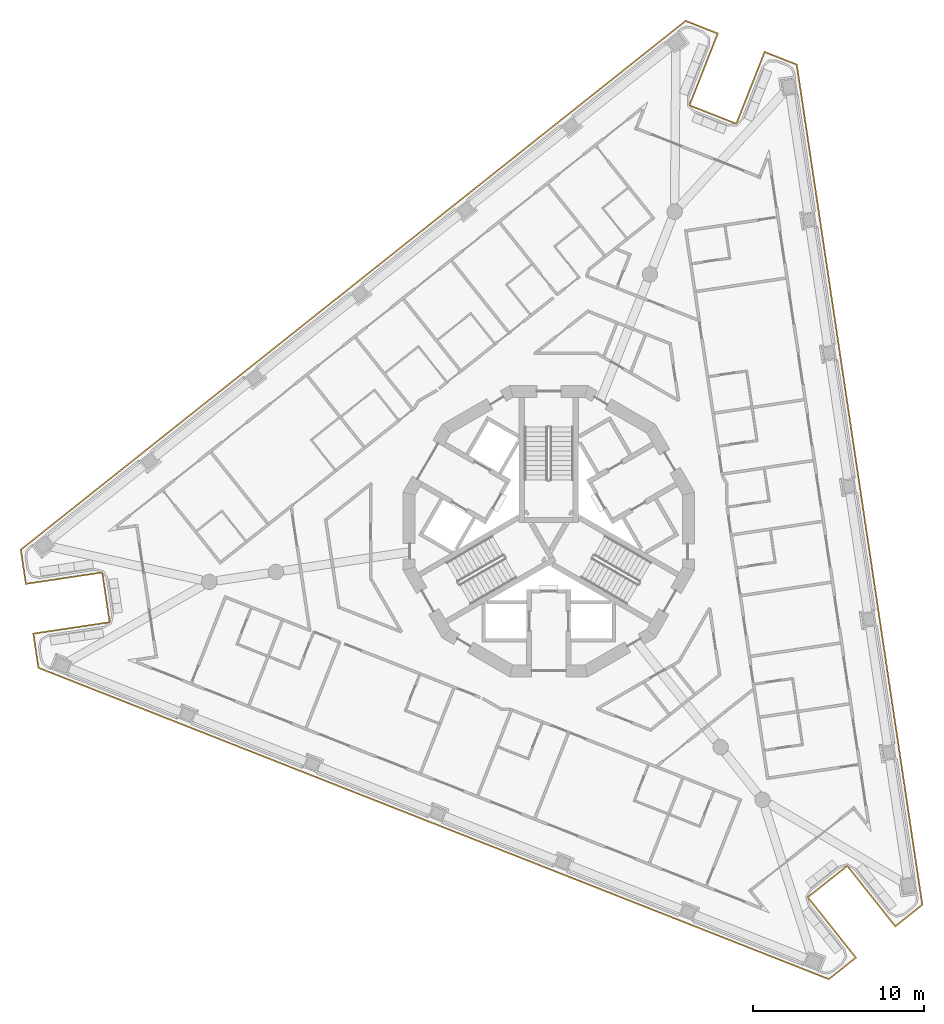
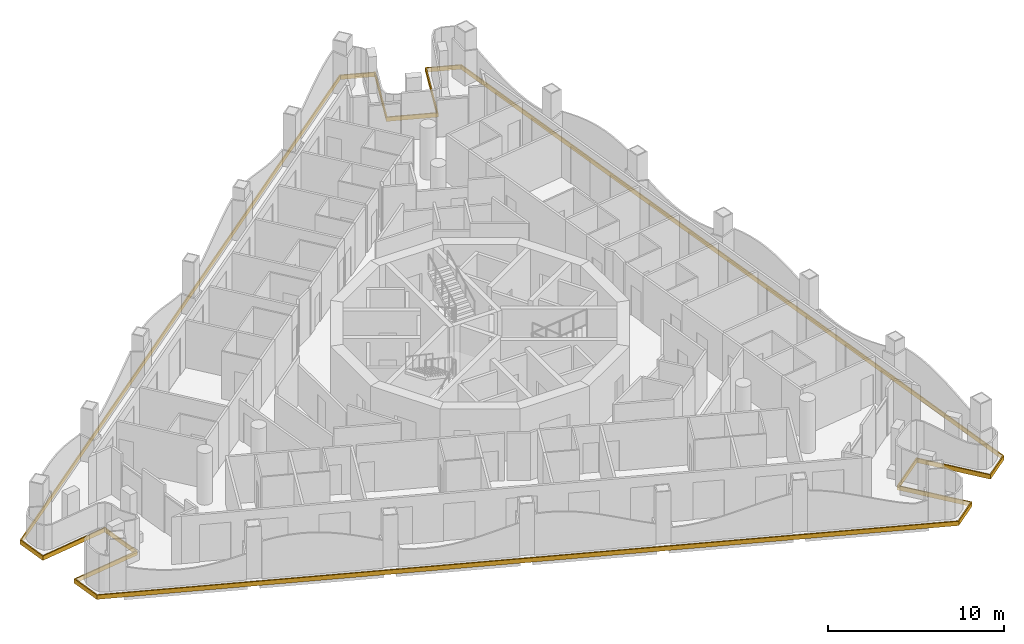
# One storey, part 13 of 17: 1 covering.
"""IFC4 building model written with IfcOpenShell, lengths in metres."""

from ifc_helpers import new_model, si_unit, direction, frame, origin, place, context, subcontext, project, spatial, polyline, outline, extrude, material, layer, layer_set, type_object, element, save


model = new_model("IFC4")

# Units and contexts
model_context = context("Model", 3, precision=1e-05, world=origin(), true_north=direction((0.0, 1.0)))
body_context = subcontext(model_context, "Body", "Model", "MODEL_VIEW")
ifc_project = project(units=[si_unit("LENGTHUNIT", "METRE"), si_unit("AREAUNIT", "SQUARE_METRE"), si_unit("VOLUMEUNIT", "CUBIC_METRE"), si_unit("PLANEANGLEUNIT", "RADIAN"), si_unit("MASSUNIT", "GRAM", prefix="KILO")], contexts=[model_context])

# Site, building, storey
site_placement = place(None, origin())
site = spatial("IfcSite", under=ifc_project, at=site_placement, CompositionType="ELEMENT")
building_placement = place(site_placement, origin())
building = spatial("IfcBuilding", under=site, at=building_placement, Name="Trine Commons Tower", CompositionType="ELEMENT")
storey_placement = place(building_placement, frame((0.0, 0.0, 208.800048828125)))
storey = spatial("IfcBuildingStorey", under=building, at=storey_placement, Name="L54", CompositionType="ELEMENT", Elevation=208.800048828125)

# Covering
ifc_material = material(Name="Limestone, honed", Category="masonry")
ifc_layer = layer(ifc_material, 0.074951171875)
ifc_layer_set = layer_set([ifc_layer], Name="Limestone, honed")
covering_type = type_object("IfcCoveringType", Name="Limestone spandrel panel 75", PredefinedType="CLADDING", material=ifc_layer_set)
covering_placement = place(storey_placement, frame((0.0, 0.0, -0.300048828125)))
element("IfcCovering", 1, at=covering_placement, inside=storey, type_object=covering_type, Name="Limestone spandrel panel 6-01", PredefinedType="CLADDING", context=body_context, shape_type="SweptSolid", body=[
    extrude(outline(polyline([(97.397705078125, 42.917236328125), (100.198974609375, 39.3955078125), (101.82861328125, 40.69189453125), (94.498779296875, 89.7373046875), (92.561279296875, 90.50048828125), (90.912109375, 86.313720703125), (88.26025390625, 87.358154296875), (89.90966796875, 91.545166015625), (87.97216796875, 92.308349609375), (49.162353515625, 61.4375), (49.47021484375, 59.378173828125), (53.9208984375, 60.043212890625), (54.342041015625, 57.224609375), (49.891357421875, 56.559326171875), (50.19921875, 54.5), (96.3388671875, 36.324951171875), (97.968505859375, 37.621337890625), (95.167236328125, 41.14306640625), (97.397705078125, 42.917236328125)]), holes=[polyline([(92.603515625, 90.4033203125), (94.430908203125, 89.683349609375), (101.748046875, 40.7236328125), (100.2109375, 39.5009765625), (97.40966796875, 43.022705078125), (95.061767578125, 41.155029296875), (97.86328125, 37.63330078125), (96.325927734375, 36.41064453125), (50.26708984375, 54.5537109375), (49.976806640625, 56.496337890625), (54.42724609375, 57.16162109375), (53.98388671875, 60.12841796875), (49.533203125, 59.46337890625), (49.242919921875, 61.406005859375), (87.98486328125, 92.22265625), (89.812255859375, 91.502685546875), (88.1630859375, 87.31591796875), (90.954345703125, 86.21630859375), (92.603515625, 90.4033203125)])]), origin(), (0.0, 0.0, 1.0), 0.300048828125),
])

save(model, "model.ifc")
